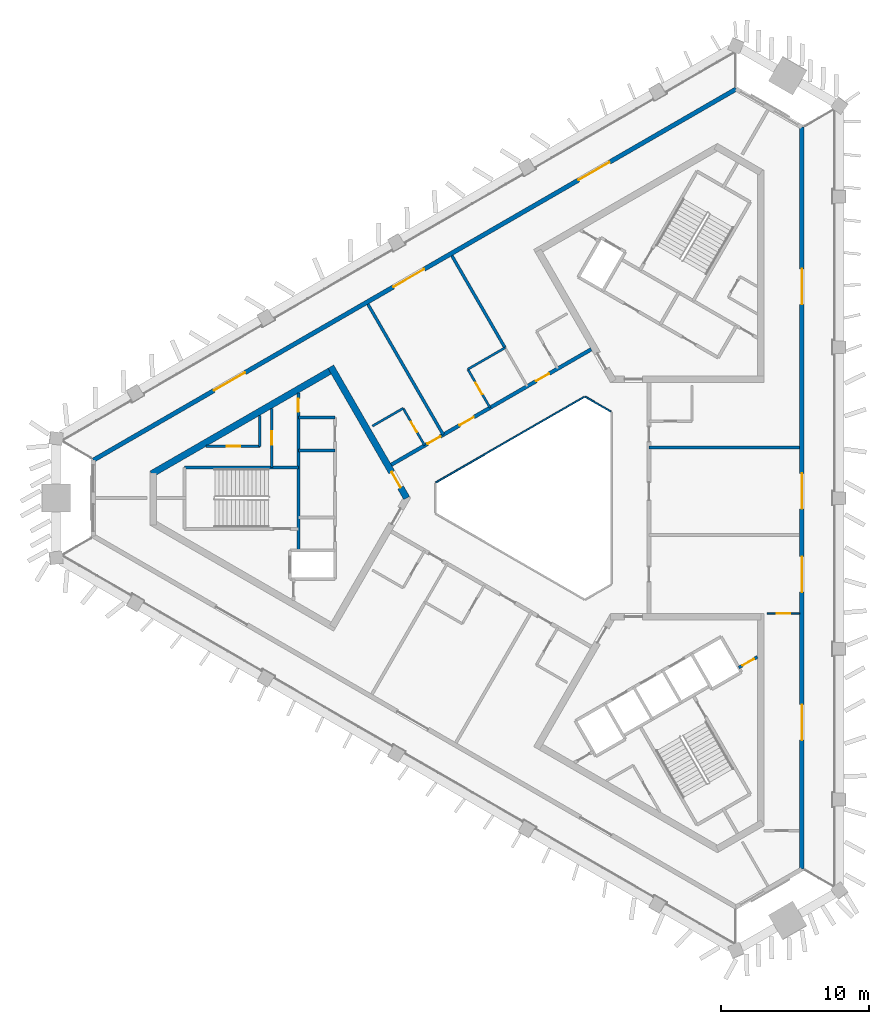
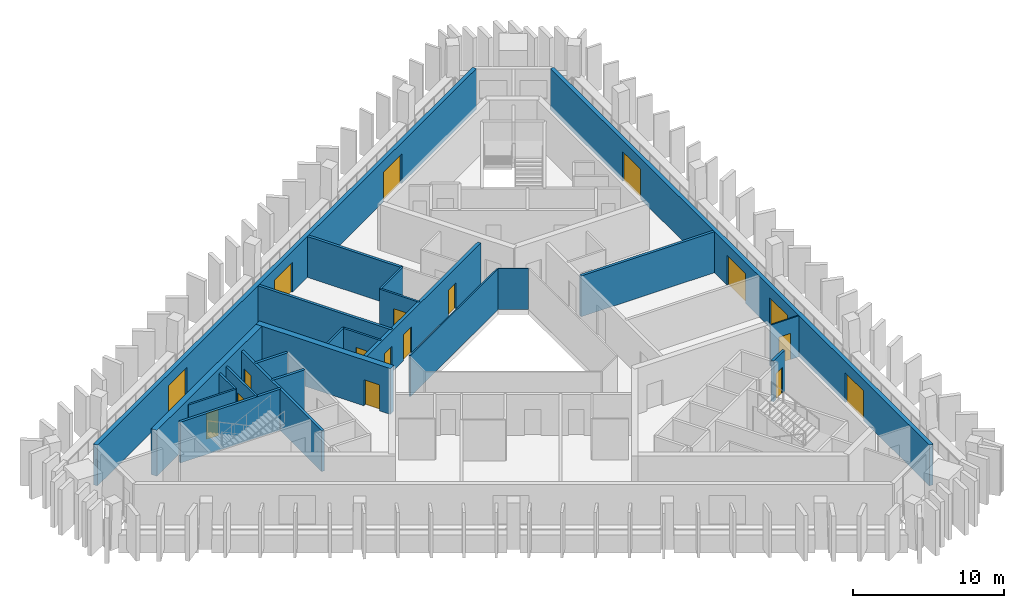
# One storey, part 4 of 9: 23 walls, 18 doors, 18 openings.
"""IFC4 building model written with IfcOpenShell, lengths in metres."""

from ifc_helpers import new_model, si_unit, direction, frame, frame_2d, origin, place, context, subcontext, project, spatial, rectangle, extrude, material, layer, layer_set, type_object, element, fill, save


model = new_model("IFC4")

# Units and contexts
model_context = context("Model", 3, precision=1e-05, world=origin(), true_north=direction((0.0, 1.0)))
body_context = subcontext(model_context, "Body", "Model", "MODEL_VIEW")
ifc_project = project(units=[si_unit("LENGTHUNIT", "METRE"), si_unit("AREAUNIT", "SQUARE_METRE"), si_unit("VOLUMEUNIT", "CUBIC_METRE"), si_unit("PLANEANGLEUNIT", "RADIAN"), si_unit("MASSUNIT", "GRAM", prefix="KILO")], contexts=[model_context])

# Site, building, storey
site_placement = place(None, origin())
site = spatial("IfcSite", under=ifc_project, at=site_placement, CompositionType="ELEMENT")
building_placement = place(site_placement, origin())
building = spatial("IfcBuilding", under=site, at=building_placement, Name="Jabali Bay Hotel Tower and Convention Centre", CompositionType="ELEMENT")
storey_placement = place(building_placement, frame((0.0, 0.0, 231.699951171875)))
storey = spatial("IfcBuildingStorey", under=building, at=storey_placement, Name="L57", CompositionType="ELEMENT", Elevation=231.699951171875)

# Walls
ifc_material_1 = material(Name="Fire-resistant glazing", Category="glass")
ifc_layer_1 = layer(ifc_material_1, 0.10009765625)
ifc_layer_set_1 = layer_set([ifc_layer_1], Name="Fire-resistant glazing")
wall_type_1 = type_object("IfcWallType", Name="Atrium glazed screen 100", PredefinedType="PARTITIONING", material=ifc_layer_set_1)
wall_1_placement = place(storey_placement, frame((79.530029296875, 85.84619140625, 0.0), z_axis=(0.0, 0.0, 1.0), x_axis=(-0.866041268327, 0.499972520799, 0.0)))
element("IfcWall", 1, at=wall_1_placement, inside=storey, type_object=wall_type_1, Name="Atrium screen 2 L57", PredefinedType="PARTITIONING", context=body_context, shape_type="SweptSolid", body=[
    extrude(rectangle(XDim=2.0, YDim=0.10009765625, at=frame_2d((1.0, 0.0))), origin(), (0.0, 0.0, 1.0), 3.300048828125),
])
wall_2_placement = place(storey_placement, frame((77.738037109375, 86.84619140625, 0.0), z_axis=(0.0, 0.0, 1.0), x_axis=(-0.866026658274, -0.499997827154, 0.0)))
element("IfcWall", 2, at=wall_2_placement, inside=storey, type_object=wall_type_1, Name="Atrium screen 3 L57", PredefinedType="PARTITIONING", context=body_context, shape_type="SweptSolid", body=[
    extrude(rectangle(XDim=11.58837890625, YDim=0.10009765625, at=frame_2d((5.794189453125, 0.0))), origin(), (0.0, 0.0, 1.0), 3.300048828125),
])

# Wall, opening, door
ifc_material_2 = material(Name="Concrete C40", Category="concrete")
ifc_layer_2 = layer(ifc_material_2, 0.199951171875)
ifc_layer_set_2 = layer_set([ifc_layer_2], Name="Concrete C40")
wall_type_2 = type_object("IfcWallType", Name="Core partition wall 200", PredefinedType="PARTITIONING", material=ifc_layer_set_2)
wall_3_placement = place(storey_placement, frame((88.164794921875, 68.548095703125, 0.0), z_axis=(0.0, 0.0, 1.0), x_axis=(0.866013036001, 0.500021421018, 0.0)))
wall_3 = element("IfcWall", 3, at=wall_3_placement, inside=storey, type_object=wall_type_2, Name="Core wall 2.12 L57", PredefinedType="PARTITIONING", context=body_context, shape_type="SweptSolid", body=[
    extrude(rectangle(XDim=1.4609375, YDim=0.199951171875, at=frame_2d((0.73046875, 0.0))), origin(), (0.0, 0.0, 1.0), 3.300048828125),
])
opening_1_placement = place(wall_3_placement, frame((0.280517578125, 0.0, 0.0)))
opening_1 = element("IfcOpeningElement", 4, at=opening_1_placement, cuts=wall_3, Name="Opening D1253", PredefinedType="OPENING", context=body_context, shape_type="SweptSolid", body=[
    extrude(rectangle(XDim=0.89990234375, YDim=2.10009765625, at=frame_2d((0.449951171875, 1.050048828125))), frame((0.0, 0.1103515625, 0.0), z_axis=(0.0, -1.0, 0.0), x_axis=(1.0, 0.0, 0.0)), (0.0, 0.0, 1.0), 0.220947265625),
])
ifc_material_3 = material(Name="Fire-rated steel door", Category="steel")
door_type_1 = type_object("IfcDoorType", Name="Vestibule fire door 900 x 2100", OperationType="NOTDEFINED", PredefinedType="NOTDEFINED", material=ifc_material_3)
door_1_placement = place(opening_1_placement, origin())
door_1 = element("IfcDoor", 5, at=door_1_placement, inside=storey, type_object=door_type_1, Name="Vestibule fire door D1253", OperationType="SINGLE_SWING_LEFT", OverallHeight=2.10009765625, OverallWidth=0.89990234375, PredefinedType="NOTDEFINED", context=body_context, shape_type="SweptSolid", body=[
    extrude(rectangle(XDim=0.89990234375, YDim=2.10009765625, at=frame_2d((0.449951171875, 1.050048828125))), frame((0.0, 0.02490234375, 0.0), z_axis=(0.0, -1.0, 0.0), x_axis=(1.0, 0.0, 0.0)), (0.0, 0.0, 1.0), 0.050048828125),
])
fill(opening_1, door_1)

ifc_material_4 = material(Name="Fire-rated board partition")
ifc_layer_3 = layer(ifc_material_4, 0.14990234375)
ifc_layer_set_3 = layer_set([ifc_layer_3], Name="Fire-rated board partition")
wall_type_3 = type_object("IfcWallType", Name="Core room partition 150", PredefinedType="PARTITIONING", material=ifc_layer_set_3)
wall_4_placement = place(storey_placement, frame((55.820068359375, 83.5, 0.0), z_axis=(0.0, 0.0, 1.0), x_axis=(-1.0, 0.0, 0.0)))
wall_4 = element("IfcWall", 6, at=wall_4_placement, inside=storey, type_object=wall_type_3, Name="Core wall 0.1 L57", PredefinedType="PARTITIONING", context=body_context, shape_type="SweptSolid", body=[
    extrude(rectangle(XDim=3.617919921875, YDim=0.14990234375, at=frame_2d((1.80908203125, 0.0))), origin(), (0.0, 0.0, 1.0), 3.300048828125),
])
opening_2_placement = place(wall_4_placement, frame((1.33154296875, 0.0, 0.0)))
opening_2 = element("IfcOpeningElement", 7, at=opening_2_placement, cuts=wall_4, Name="Opening D1242", PredefinedType="OPENING", context=body_context, shape_type="SweptSolid", body=[
    extrude(rectangle(XDim=0.89990234375, YDim=2.10009765625, at=frame_2d((0.449951171875, 1.050048828125))), frame((0.0, 0.08544921875, 0.0), z_axis=(0.0, -1.0, 0.0), x_axis=(1.0, 0.0, 0.0)), (0.0, 0.0, 1.0), 0.1708984375),
])
door_type_2 = type_object("IfcDoorType", Name="Core room door 900 x 2100", OperationType="NOTDEFINED", PredefinedType="NOTDEFINED", material=ifc_material_3)
door_2_placement = place(opening_2_placement, origin())
door_2 = element("IfcDoor", 8, at=door_2_placement, inside=storey, type_object=door_type_2, Name="Core room door D1242", OperationType="SINGLE_SWING_LEFT", OverallHeight=2.10009765625, OverallWidth=0.89990234375, PredefinedType="NOTDEFINED", context=body_context, shape_type="SweptSolid", body=[
    extrude(rectangle(XDim=0.89990234375, YDim=2.10009765625, at=frame_2d((0.449951171875, 1.050048828125))), frame((0.0, 0.02490234375, 0.0), z_axis=(0.0, -1.0, 0.0), x_axis=(1.0, 0.0, 0.0)), (0.0, 0.0, 1.0), 0.050048828125),
])
fill(opening_2, door_2)

wall_5_placement = place(storey_placement, frame((56.6201171875, 86.050537109375, 0.0), z_axis=(0.0, 0.0, 1.0), x_axis=(0.0, -1.0, 0.0)))
wall_5 = element("IfcWall", 9, at=wall_5_placement, inside=storey, type_object=wall_type_3, Name="Core wall 0.13 L57", PredefinedType="PARTITIONING", context=body_context, shape_type="SweptSolid", body=[
    extrude(rectangle(XDim=3.9755859375, YDim=0.14990234375, at=frame_2d((1.98779296875, 0.0))), origin(), (0.0, 0.0, 1.0), 3.300048828125),
])
opening_3_placement = place(wall_5_placement, frame((1.537841796875, 0.0, 0.0)))
opening_3 = element("IfcOpeningElement", 10, at=opening_3_placement, cuts=wall_5, Name="Opening D1238", PredefinedType="OPENING", context=body_context, shape_type="SweptSolid", body=[
    extrude(rectangle(XDim=0.89990234375, YDim=2.10009765625, at=frame_2d((0.449951171875, 1.050048828125))), frame((0.0, 0.08544921875, 0.0), z_axis=(0.0, -1.0, 0.0), x_axis=(1.0, 0.0, 0.0)), (0.0, 0.0, 1.0), 0.1708984375),
])
door_3_placement = place(opening_3_placement, origin())
door_3 = element("IfcDoor", 11, at=door_3_placement, inside=storey, type_object=door_type_2, Name="Core room door D1238", OperationType="SINGLE_SWING_RIGHT", OverallHeight=2.10009765625, OverallWidth=0.89990234375, PredefinedType="NOTDEFINED", context=body_context, shape_type="SweptSolid", body=[
    extrude(rectangle(XDim=0.89990234375, YDim=2.10009765625, at=frame_2d((0.449951171875, 1.050048828125))), frame((0.0, 0.02490234375, 0.0), z_axis=(0.0, -1.0, 0.0), x_axis=(1.0, 0.0, 0.0)), (0.0, 0.0, 1.0), 0.050048828125),
])
fill(opening_3, door_3)

# Walls
wall_6_placement = place(storey_placement, frame((55.820068359375, 85.5888671875, 0.0), z_axis=(0.0, 0.0, 1.0), x_axis=(0.0, -1.0, 0.0)))
element("IfcWall", 12, at=wall_6_placement, inside=storey, type_object=wall_type_3, Name="Core wall 0.14 L57", PredefinedType="PARTITIONING", context=body_context, shape_type="SweptSolid", body=[
    extrude(rectangle(XDim=2.0888671875, YDim=0.14990234375, at=frame_2d((1.04443359375, 0.0))), origin(), (0.0, 0.0, 1.0), 3.300048828125),
])
ifc_layer_4 = layer(ifc_material_2, 0.199951171875)
ifc_layer_set_4 = layer_set([ifc_layer_4], Name="Concrete C40")
wall_type_4 = type_object("IfcWallType", Name="Core stair wall 200", PredefinedType="SOLIDWALL", material=ifc_layer_set_4)
for number, where, z_axis, x_axis, name in (
    (13, (60.89990234375, 85.449951171875, 0.0), (0.0, 0.0, 1.0), (-1.0, 0.0, 0.0), "Core wall 0.0 L57"),
    (14, (60.89990234375, 83.199951171875, 0.0), (0.0, 0.0, 1.0), (-1.0, 0.0, 0.0), "Core wall 0.2 L57"),
):
    element("IfcWall", number, at=place(storey_placement, frame(where, z_axis=z_axis, x_axis=x_axis)), inside=storey, type_object=wall_type_4, Name=name, PredefinedType="SOLIDWALL", context=body_context, shape_type="SweptSolid", body=[
        extrude(rectangle(XDim=2.47998046875, YDim=0.199951171875, at=frame_2d((1.239990234375, 0.0))), origin(), (0.0, 0.0, 1.0), 3.300048828125),
    ])
wall_7_placement = place(storey_placement, frame((58.419921875, 82.074951171875, 0.0), z_axis=(0.0, 0.0, 1.0), x_axis=(-1.0, 0.0, 0.0)))
element("IfcWall", 15, at=wall_7_placement, inside=storey, type_object=wall_type_4, Name="Core wall 0.3 L57", PredefinedType="SOLIDWALL", context=body_context, shape_type="SweptSolid", body=[
    extrude(rectangle(XDim=7.699951171875, YDim=0.199951171875, at=frame_2d((3.85009765625, 0.0))), origin(), (0.0, 0.0, 1.0), 3.300048828125),
])

# Wall, opening, door
wall_8_placement = place(storey_placement, frame((58.419921875, 87.08984375, 0.0), z_axis=(0.0, 0.0, 1.0), x_axis=(0.0, -1.0, 0.0)))
wall_8 = element("IfcWall", 16, at=wall_8_placement, inside=storey, type_object=wall_type_4, Name="Core wall 0.10 L57", PredefinedType="SOLIDWALL", context=body_context, shape_type="SweptSolid", body=[
    extrude(rectangle(XDim=10.639892578125, YDim=0.199951171875, at=frame_2d((5.31982421875, 0.0))), origin(), (0.0, 0.0, 1.0), 3.300048828125),
])
opening_4_placement = place(wall_8_placement, frame((0.369873046875, 0.0, 0.0)))
opening_4 = element("IfcOpeningElement", 17, at=opening_4_placement, cuts=wall_8, Name="Opening D1240", PredefinedType="OPENING", context=body_context, shape_type="SweptSolid", body=[
    extrude(rectangle(XDim=0.89990234375, YDim=2.10009765625, at=frame_2d((0.449951171875, 1.050048828125))), frame((0.0, 0.1103515625, 0.0), z_axis=(0.0, -1.0, 0.0), x_axis=(1.0, 0.0, 0.0)), (0.0, 0.0, 1.0), 0.220947265625),
])
door_4_placement = place(opening_4_placement, origin())
door_4 = element("IfcDoor", 18, at=door_4_placement, inside=storey, type_object=door_type_1, Name="Vestibule fire door D1240", OperationType="SINGLE_SWING_LEFT", OverallHeight=2.10009765625, OverallWidth=0.89990234375, PredefinedType="NOTDEFINED", context=body_context, shape_type="SweptSolid", body=[
    extrude(rectangle(XDim=0.89990234375, YDim=2.10009765625, at=frame_2d((0.449951171875, 1.050048828125))), frame((0.0, 0.02490234375, 0.0), z_axis=(0.0, -1.0, 0.0), x_axis=(1.0, 0.0, 0.0)), (0.0, 0.0, 1.0), 0.050048828125),
])
fill(opening_4, door_4)

ifc_material_5 = material(Name="Concrete C60", Category="concrete")
ifc_layer_5 = layer(ifc_material_5, 0.449951171875)
ifc_layer_set_5 = layer_set([ifc_layer_5], Name="Concrete C60")
wall_type_5 = type_object("IfcWallType", Name="Core wall 450", PredefinedType="SHEAR", material=ifc_layer_set_5)
wall_9_placement = place(storey_placement, frame((65.740234375, 80.0, 0.0), z_axis=(0.0, 0.0, 1.0), x_axis=(-0.499991857942, 0.866030104553, 0.0)))
wall_9 = element("IfcWall", 19, at=wall_9_placement, inside=storey, type_object=wall_type_5, Name="Core wall 1.1 L57", PredefinedType="SHEAR", context=body_context, shape_type="SweptSolid", body=[
    extrude(rectangle(XDim=10.250244140625, YDim=0.449951171875, at=frame_2d((5.125, 0.0))), origin(), (0.0, 0.0, 1.0), 3.699951171875),
])
opening_5_placement = place(wall_9_placement, frame((0.820068359375, 0.0, 0.0)))
opening_5 = element("IfcOpeningElement", 20, at=opening_5_placement, cuts=wall_9, Name="Opening D1233", PredefinedType="OPENING", context=body_context, shape_type="SweptSolid", body=[
    extrude(rectangle(XDim=1.199951171875, YDim=2.10009765625, at=frame_2d((0.60009765625, 1.050048828125))), frame((0.0, 0.2353515625, 0.0), z_axis=(0.0, -1.0, 0.0), x_axis=(1.0, 0.0, 0.0)), (0.0, 0.0, 1.0), 0.470947265625),
])
door_type_3 = type_object("IfcDoorType", Name="Corridor end fire door 1200 x 2100", OperationType="NOTDEFINED", PredefinedType="NOTDEFINED", material=ifc_material_3)
door_5_placement = place(opening_5_placement, origin())
door_5 = element("IfcDoor", 21, at=door_5_placement, inside=storey, type_object=door_type_3, Name="Corridor end fire door D1233", OperationType="SINGLE_SWING_RIGHT", OverallHeight=2.10009765625, OverallWidth=1.199951171875, PredefinedType="NOTDEFINED", context=body_context, shape_type="SweptSolid", body=[
    extrude(rectangle(XDim=1.199951171875, YDim=2.10009765625, at=frame_2d((0.60009765625, 1.050048828125))), frame((0.0, 0.02490234375, 0.0), z_axis=(0.0, -1.0, 0.0), x_axis=(1.0, 0.0, 0.0)), (0.0, 0.0, 1.0), 0.050048828125),
])
fill(opening_5, door_5)

# Wall
wall_10_placement = place(storey_placement, frame((60.7275390625, 88.681884765625, 0.0), z_axis=(0.0, 0.0, 1.0), x_axis=(-0.866021613849, -0.500006564303, 0.0)))
element("IfcWall", 22, at=wall_10_placement, inside=storey, type_object=wall_type_5, Name="Core wall 1.2 L57", PredefinedType="SHEAR", context=body_context, shape_type="SweptSolid", body=[
    extrude(rectangle(XDim=14.108154296875, YDim=0.449951171875, at=frame_2d((7.05419921875, 0.0))), origin(), (0.0, 0.0, 1.0), 3.699951171875),
])

# Wall, openings, doors
ifc_layer_6 = layer(ifc_material_5, 0.25)
ifc_layer_set_6 = layer_set([ifc_layer_6], Name="Concrete C60")
wall_type_6 = type_object("IfcWallType", Name="Corridor wall 250", PredefinedType="SHEAR", material=ifc_layer_set_6)
wall_11_placement = place(storey_placement, frame((78.199951171875, 90.0458984375, 0.0), z_axis=(0.0, 0.0, 1.0), x_axis=(-0.866026492143, -0.499998114903, 0.0)))
wall_11 = element("IfcWall", 23, at=wall_11_placement, inside=storey, type_object=wall_type_6, Name="Corridor wall 2 L57", PredefinedType="SHEAR", context=body_context, shape_type="SweptSolid", body=[
    extrude(rectangle(XDim=15.58837890625, YDim=0.25, at=frame_2d((7.794189453125, 0.0))), origin(), (0.0, 0.0, 1.0), 3.300048828125),
])
opening_6_placement = place(wall_11_placement, frame((3.294189453125, 0.0, 0.0)))
opening_6 = element("IfcOpeningElement", 24, at=opening_6_placement, cuts=wall_11, Name="Opening 5708", PredefinedType="OPENING", context=body_context, shape_type="SweptSolid", body=[
    extrude(rectangle(XDim=1.0, YDim=2.10009765625, at=frame_2d((0.5, 1.050048828125))), frame((0.0, 0.135498046875, 0.0), z_axis=(0.0, -1.0, 0.0), x_axis=(1.0, 0.0, 0.0)), (0.0, 0.0, 1.0), 0.27099609375),
])
opening_7_placement = place(wall_11_placement, frame((9.161865234375, 0.0, 0.0)))
opening_7 = element("IfcOpeningElement", 25, at=opening_7_placement, cuts=wall_11, Name="Opening 5710", PredefinedType="OPENING", context=body_context, shape_type="SweptSolid", body=[
    extrude(rectangle(XDim=1.10009765625, YDim=2.10009765625, at=frame_2d((0.550048828125, 1.050048828125))), frame((0.0, 0.135498046875, 0.0), z_axis=(0.0, -1.0, 0.0), x_axis=(1.0, 0.0, 0.0)), (0.0, 0.0, 1.0), 0.27099609375),
])
opening_8_placement = place(wall_11_placement, frame((11.761962890625, 0.0, 0.0)))
opening_8 = element("IfcOpeningElement", 26, at=opening_8_placement, cuts=wall_11, Name="Opening 5712", PredefinedType="OPENING", context=body_context, shape_type="SweptSolid", body=[
    extrude(rectangle(XDim=1.0, YDim=2.10009765625, at=frame_2d((0.5, 1.050048828125))), frame((0.0, 0.135498046875, 0.0), z_axis=(0.0, -1.0, 0.0), x_axis=(1.0, 0.0, 0.0)), (0.0, 0.0, 1.0), 0.27099609375),
])
ifc_material_6 = material(Name="Timber", Category="wood")
door_type_4 = type_object("IfcDoorType", Name="Accessible guest room door 1100 x 2100", OperationType="NOTDEFINED", PredefinedType="NOTDEFINED", material=ifc_material_6)
door_6_placement = place(opening_7_placement, origin())
door_6 = element("IfcDoor", 27, at=door_6_placement, inside=storey, type_object=door_type_4, Name="Door 5710", OperationType="SINGLE_SWING_RIGHT", OverallHeight=2.10009765625, OverallWidth=1.10009765625, PredefinedType="NOTDEFINED", context=body_context, shape_type="SweptSolid", body=[
    extrude(rectangle(XDim=1.10009765625, YDim=2.10009765625, at=frame_2d((0.550048828125, 1.050048828125))), frame((0.0, 0.02490234375, 0.0), z_axis=(0.0, -1.0, 0.0), x_axis=(1.0, 0.0, 0.0)), (0.0, 0.0, 1.0), 0.050048828125),
])
fill(opening_7, door_6)
door_type_5 = type_object("IfcDoorType", Name="Guest room door 1000 x 2100", OperationType="NOTDEFINED", PredefinedType="NOTDEFINED", material=ifc_material_6)
door_7_placement = place(opening_6_placement, origin())
door_7 = element("IfcDoor", 28, at=door_7_placement, inside=storey, type_object=door_type_5, Name="Door 5708", OperationType="SINGLE_SWING_LEFT", OverallHeight=2.10009765625, OverallWidth=1.0, PredefinedType="NOTDEFINED", context=body_context, shape_type="SweptSolid", body=[
    extrude(rectangle(XDim=1.0, YDim=2.10009765625, at=frame_2d((0.5, 1.050048828125))), frame((0.0, 0.02490234375, 0.0), z_axis=(0.0, -1.0, 0.0), x_axis=(1.0, 0.0, 0.0)), (0.0, 0.0, 1.0), 0.050048828125),
])
fill(opening_6, door_7)
door_8_placement = place(opening_8_placement, origin())
door_8 = element("IfcDoor", 29, at=door_8_placement, inside=storey, type_object=door_type_5, Name="Door 5712", OperationType="SINGLE_SWING_RIGHT", OverallHeight=2.10009765625, OverallWidth=1.0, PredefinedType="NOTDEFINED", context=body_context, shape_type="SweptSolid", body=[
    extrude(rectangle(XDim=1.0, YDim=2.10009765625, at=frame_2d((0.5, 1.050048828125))), frame((0.0, 0.02490234375, 0.0), z_axis=(0.0, -1.0, 0.0), x_axis=(1.0, 0.0, 0.0)), (0.0, 0.0, 1.0), 0.050048828125),
])
fill(opening_8, door_8)

ifc_layer_7 = layer(ifc_material_2, 0.300048828125)
ifc_layer_set_7 = layer_set([ifc_layer_7], Name="Concrete C40")
wall_type_7 = type_object("IfcWallType", Name="External wall 300", PredefinedType="SOLIDWALL", material=ifc_layer_set_7)
wall_12_placement = place(storey_placement, frame((92.427978515625, 105.058837890625, 0.0), z_axis=(0.0, 0.0, 1.0), x_axis=(0.0, -1.0, 0.0)))
wall_12 = element("IfcWall", 30, at=wall_12_placement, inside=storey, type_object=wall_type_7, Name="External wall east face L57", PredefinedType="SOLIDWALL", context=body_context, shape_type="SweptSolid", body=[
    extrude(rectangle(XDim=50.11767578125, YDim=0.300048828125, at=frame_2d((25.058837890625, 0.0))), origin(), (0.0, 0.0, 1.0), 3.300048828125),
])
opening_9_placement = place(wall_12_placement, frame((29.003173828125, 0.0, 0.0)))
opening_9 = element("IfcOpeningElement", 31, at=opening_9_placement, cuts=wall_12, Name="Opening SD1", PredefinedType="OPENING", context=body_context, shape_type="SweptSolid", body=[
    extrude(rectangle(XDim=2.39990234375, YDim=2.39990234375, at=frame_2d((1.199951171875, 1.199951171875))), frame((0.0, 0.16064453125, 0.0), z_axis=(0.0, -1.0, 0.0), x_axis=(1.0, 0.0, 0.0)), (0.0, 0.0, 1.0), 0.321044921875),
])
opening_10_placement = place(wall_12_placement, frame((39.000244140625, 0.0, 0.0)))
opening_10 = element("IfcOpeningElement", 32, at=opening_10_placement, cuts=wall_12, Name="Opening SD1", PredefinedType="OPENING", context=body_context, shape_type="SweptSolid", body=[
    extrude(rectangle(XDim=2.39990234375, YDim=2.39990234375, at=frame_2d((1.199951171875, 1.199951171875))), frame((0.0, 0.16064453125, 0.0), z_axis=(0.0, -1.0, 0.0), x_axis=(1.0, 0.0, 0.0)), (0.0, 0.0, 1.0), 0.321044921875),
])
opening_11_placement = place(wall_12_placement, frame((9.571533203125, 0.0, 0.0)))
opening_11 = element("IfcOpeningElement", 33, at=opening_11_placement, cuts=wall_12, Name="Opening SD1", PredefinedType="OPENING", context=body_context, shape_type="SweptSolid", body=[
    extrude(rectangle(XDim=2.39990234375, YDim=2.39990234375, at=frame_2d((1.199951171875, 1.199951171875))), frame((0.0, 0.16064453125, 0.0), z_axis=(0.0, -1.0, 0.0), x_axis=(1.0, 0.0, 0.0)), (0.0, 0.0, 1.0), 0.321044921875),
])
opening_12_placement = place(wall_12_placement, frame((23.391357421875, 0.0, 0.0)))
opening_12 = element("IfcOpeningElement", 34, at=opening_12_placement, cuts=wall_12, Name="Opening SD1", PredefinedType="OPENING", context=body_context, shape_type="SweptSolid", body=[
    extrude(rectangle(XDim=2.39990234375, YDim=2.39990234375, at=frame_2d((1.199951171875, 1.199951171875))), frame((0.0, 0.16064453125, 0.0), z_axis=(0.0, -1.0, 0.0), x_axis=(1.0, 0.0, 0.0)), (0.0, 0.0, 1.0), 0.321044921875),
])
ifc_material_7 = material(Name="Glass", Category="glass")
door_type_6 = type_object("IfcDoorType", Name="Loggia sliding door 2400 x 2400", OperationType="NOTDEFINED", PredefinedType="NOTDEFINED", material=ifc_material_7)
door_9_placement = place(opening_9_placement, origin())
door_9 = element("IfcDoor", 35, at=door_9_placement, inside=storey, type_object=door_type_6, Name="Loggia sliding door 5701", OperationType="SLIDING_TO_LEFT", OverallHeight=2.39990234375, OverallWidth=2.39990234375, PredefinedType="NOTDEFINED", context=body_context, shape_type="SweptSolid", body=[
    extrude(rectangle(XDim=2.39990234375, YDim=2.39990234375, at=frame_2d((1.199951171875, 1.199951171875))), frame((0.0, 0.02490234375, 0.0), z_axis=(0.0, -1.0, 0.0), x_axis=(1.0, 0.0, 0.0)), (0.0, 0.0, 1.0), 0.050048828125),
])
fill(opening_9, door_9)
door_10_placement = place(opening_10_placement, origin())
door_10 = element("IfcDoor", 36, at=door_10_placement, inside=storey, type_object=door_type_6, Name="Loggia sliding door 5701", OperationType="SLIDING_TO_RIGHT", OverallHeight=2.39990234375, OverallWidth=2.39990234375, PredefinedType="NOTDEFINED", context=body_context, shape_type="SweptSolid", body=[
    extrude(rectangle(XDim=2.39990234375, YDim=2.39990234375, at=frame_2d((1.199951171875, 1.199951171875))), frame((0.0, 0.02490234375, 0.0), z_axis=(0.0, -1.0, 0.0), x_axis=(1.0, 0.0, 0.0)), (0.0, 0.0, 1.0), 0.050048828125),
])
fill(opening_10, door_10)
door_11_placement = place(opening_11_placement, origin())
door_11 = element("IfcDoor", 37, at=door_11_placement, inside=storey, type_object=door_type_6, Name="Loggia sliding door 5702", OperationType="SLIDING_TO_LEFT", OverallHeight=2.39990234375, OverallWidth=2.39990234375, PredefinedType="NOTDEFINED", context=body_context, shape_type="SweptSolid", body=[
    extrude(rectangle(XDim=2.39990234375, YDim=2.39990234375, at=frame_2d((1.199951171875, 1.199951171875))), frame((0.0, 0.02490234375, 0.0), z_axis=(0.0, -1.0, 0.0), x_axis=(1.0, 0.0, 0.0)), (0.0, 0.0, 1.0), 0.050048828125),
])
fill(opening_11, door_11)
door_12_placement = place(opening_12_placement, origin())
door_12 = element("IfcDoor", 38, at=door_12_placement, inside=storey, type_object=door_type_6, Name="Loggia sliding door", OperationType="SLIDING_TO_RIGHT", OverallHeight=2.39990234375, OverallWidth=2.39990234375, PredefinedType="NOTDEFINED", context=body_context, shape_type="SweptSolid", body=[
    extrude(rectangle(XDim=2.39990234375, YDim=2.39990234375, at=frame_2d((1.199951171875, 1.199951171875))), frame((0.0, 0.02490234375, 0.0), z_axis=(0.0, -1.0, 0.0), x_axis=(1.0, 0.0, 0.0)), (0.0, 0.0, 1.0), 0.050048828125),
])
fill(opening_12, door_12)

wall_13_placement = place(storey_placement, frame((44.58447265625, 82.5634765625, 0.0), z_axis=(0.0, 0.0, 1.0), x_axis=(0.866023992326, 0.500002444709, 0.0)))
wall_13 = element("IfcWall", 39, at=wall_13_placement, inside=storey, type_object=wall_type_7, Name="External wall north-west face L57", PredefinedType="SOLIDWALL", context=body_context, shape_type="SweptSolid", body=[
    extrude(rectangle(XDim=50.117919921875, YDim=0.300048828125, at=frame_2d((25.05908203125, 0.0))), origin(), (0.0, 0.0, 1.0), 3.300048828125),
])
opening_13_placement = place(wall_13_placement, frame((23.391357421875, 0.0, 0.0)))
opening_13 = element("IfcOpeningElement", 40, at=opening_13_placement, cuts=wall_13, Name="Opening SD1", PredefinedType="OPENING", context=body_context, shape_type="SweptSolid", body=[
    extrude(rectangle(XDim=2.39990234375, YDim=2.39990234375, at=frame_2d((1.199951171875, 1.199951171875))), frame((0.0, 0.16064453125, 0.0), z_axis=(0.0, -1.0, 0.0), x_axis=(1.0, 0.0, 0.0)), (0.0, 0.0, 1.0), 0.321044921875),
])
opening_14_placement = place(wall_13_placement, frame((37.834716796875, 0.0, 0.0)))
opening_14 = element("IfcOpeningElement", 41, at=opening_14_placement, cuts=wall_13, Name="Opening SD1", PredefinedType="OPENING", context=body_context, shape_type="SweptSolid", body=[
    extrude(rectangle(XDim=2.39990234375, YDim=2.39990234375, at=frame_2d((1.199951171875, 1.199951171875))), frame((0.0, 0.16064453125, 0.0), z_axis=(0.0, -1.0, 0.0), x_axis=(1.0, 0.0, 0.0)), (0.0, 0.0, 1.0), 0.321044921875),
])
opening_15_placement = place(wall_13_placement, frame((9.41552734375, 0.0, 0.0)))
opening_15 = element("IfcOpeningElement", 42, at=opening_15_placement, cuts=wall_13, Name="Opening SD1", PredefinedType="OPENING", context=body_context, shape_type="SweptSolid", body=[
    extrude(rectangle(XDim=2.39990234375, YDim=2.39990234375, at=frame_2d((1.199951171875, 1.199951171875))), frame((0.0, 0.16064453125, 0.0), z_axis=(0.0, -1.0, 0.0), x_axis=(1.0, 0.0, 0.0)), (0.0, 0.0, 1.0), 0.321044921875),
])
door_13_placement = place(opening_13_placement, origin())
door_13 = element("IfcDoor", 43, at=door_13_placement, inside=storey, type_object=door_type_6, Name="Loggia sliding door 5704", OperationType="SLIDING_TO_LEFT", OverallHeight=2.39990234375, OverallWidth=2.39990234375, PredefinedType="NOTDEFINED", context=body_context, shape_type="SweptSolid", body=[
    extrude(rectangle(XDim=2.39990234375, YDim=2.39990234375, at=frame_2d((1.199951171875, 1.199951171875))), frame((0.0, 0.02490234375, 0.0), z_axis=(0.0, -1.0, 0.0), x_axis=(1.0, 0.0, 0.0)), (0.0, 0.0, 1.0), 0.050048828125),
])
fill(opening_13, door_13)
door_14_placement = place(opening_14_placement, origin())
door_14 = element("IfcDoor", 44, at=door_14_placement, inside=storey, type_object=door_type_6, Name="Loggia sliding door 5703", OperationType="SLIDING_TO_RIGHT", OverallHeight=2.39990234375, OverallWidth=2.39990234375, PredefinedType="NOTDEFINED", context=body_context, shape_type="SweptSolid", body=[
    extrude(rectangle(XDim=2.39990234375, YDim=2.39990234375, at=frame_2d((1.199951171875, 1.199951171875))), frame((0.0, 0.02490234375, 0.0), z_axis=(0.0, -1.0, 0.0), x_axis=(1.0, 0.0, 0.0)), (0.0, 0.0, 1.0), 0.050048828125),
])
fill(opening_14, door_14)
door_15_placement = place(opening_15_placement, origin())
door_15 = element("IfcDoor", 45, at=door_15_placement, inside=storey, type_object=door_type_6, Name="Loggia sliding door 5705", OperationType="SLIDING_TO_LEFT", OverallHeight=2.39990234375, OverallWidth=2.39990234375, PredefinedType="NOTDEFINED", context=body_context, shape_type="SweptSolid", body=[
    extrude(rectangle(XDim=2.39990234375, YDim=2.39990234375, at=frame_2d((1.199951171875, 1.199951171875))), frame((0.0, 0.02490234375, 0.0), z_axis=(0.0, -1.0, 0.0), x_axis=(1.0, 0.0, 0.0)), (0.0, 0.0, 1.0), 0.050048828125),
])
fill(opening_15, door_15)

# Wall, opening, door
ifc_material_8 = material(Name="Plasterboard on steel stud", Category="steel")
ifc_layer_8 = layer(ifc_material_8, 0.10009765625)
ifc_layer_set_8 = layer_set([ifc_layer_8], Name="Plasterboard on steel stud")
wall_type_8 = type_object("IfcWallType", Name="Partition 100 unit", PredefinedType="PARTITIONING", material=ifc_layer_set_8)
wall_14_placement = place(storey_placement, frame((90.0791015625, 72.205810546875, 0.0), z_axis=(0.0, 0.0, 1.0), x_axis=(1.0, 0.0, 0.0)))
wall_14 = element("IfcWall", 46, at=wall_14_placement, inside=storey, type_object=wall_type_8, Name="Partition P02 L57 001", PredefinedType="PARTITIONING", context=body_context, shape_type="SweptSolid", body=[
    extrude(rectangle(XDim=2.19970703125, YDim=0.10009765625, at=frame_2d((1.099853515625, 0.0))), origin(), (0.0, 0.0, 1.0), 3.300048828125),
])
opening_16_placement = place(wall_14_placement, frame((0.64990234375, 0.0, 0.0)))
opening_16 = element("IfcOpeningElement", 47, at=opening_16_placement, cuts=wall_14, Name="Opening 5702", PredefinedType="OPENING", context=body_context, shape_type="SweptSolid", body=[
    extrude(rectangle(XDim=0.89990234375, YDim=2.10009765625, at=frame_2d((0.449951171875, 1.050048828125))), frame((0.0, 0.060546875, 0.0), z_axis=(0.0, -1.0, 0.0), x_axis=(1.0, 0.0, 0.0)), (0.0, 0.0, 1.0), 0.12109375),
])
door_type_7 = type_object("IfcDoorType", Name="Internal door 900 x 2100", OperationType="NOTDEFINED", PredefinedType="NOTDEFINED", material=ifc_material_6)
door_16_placement = place(opening_16_placement, origin())
door_16 = element("IfcDoor", 48, at=door_16_placement, inside=storey, type_object=door_type_7, Name="Door 5702", OperationType="SINGLE_SWING_RIGHT", OverallHeight=2.10009765625, OverallWidth=0.89990234375, PredefinedType="NOTDEFINED", context=body_context, shape_type="SweptSolid", body=[
    extrude(rectangle(XDim=0.89990234375, YDim=2.10009765625, at=frame_2d((0.449951171875, 1.050048828125))), frame((0.0, 0.02490234375, 0.0), z_axis=(0.0, -1.0, 0.0), x_axis=(1.0, 0.0, 0.0)), (0.0, 0.0, 1.0), 0.050048828125),
])
fill(opening_16, door_16)

ifc_layer_9 = layer(ifc_material_8, 0.14990234375)
ifc_layer_set_9 = layer_set([ifc_layer_9], Name="Plasterboard on steel stud")
wall_type_9 = type_object("IfcWallType", Name="Partition 150 wet", PredefinedType="PARTITIONING", material=ifc_layer_set_9)
wall_15_placement = place(storey_placement, frame((71.368408203125, 86.101806640625, 0.0), z_axis=(0.0, 0.0, 1.0), x_axis=(-0.50002537861, 0.866010750942, 0.0)))
wall_15 = element("IfcWall", 49, at=wall_15_placement, inside=storey, type_object=wall_type_9, Name="Partition P03 L57 013", PredefinedType="PARTITIONING", context=body_context, shape_type="SweptSolid", body=[
    extrude(rectangle(XDim=2.999755859375, YDim=0.14990234375, at=frame_2d((1.5, 0.0))), origin(), (0.0, 0.0, 1.0), 3.300048828125),
])
opening_17_placement = place(wall_15_placement, frame((1.050048828125, 0.0, 0.0)))
opening_17 = element("IfcOpeningElement", 50, at=opening_17_placement, cuts=wall_15, Name="Opening 5709", PredefinedType="OPENING", context=body_context, shape_type="SweptSolid", body=[
    extrude(rectangle(XDim=0.89990234375, YDim=2.10009765625, at=frame_2d((0.449951171875, 1.050048828125))), frame((0.0, 0.08544921875, 0.0), z_axis=(0.0, -1.0, 0.0), x_axis=(1.0, 0.0, 0.0)), (0.0, 0.0, 1.0), 0.1708984375),
])
door_type_8 = type_object("IfcDoorType", Name="Accessible en-suite door 900 x 2100", OperationType="NOTDEFINED", PredefinedType="NOTDEFINED", material=ifc_material_6)
door_17_placement = place(opening_17_placement, origin())
door_17 = element("IfcDoor", 51, at=door_17_placement, inside=storey, type_object=door_type_8, Name="Door 5709", OperationType="SINGLE_SWING_LEFT", OverallHeight=2.10009765625, OverallWidth=0.89990234375, PredefinedType="NOTDEFINED", context=body_context, shape_type="SweptSolid", body=[
    extrude(rectangle(XDim=0.89990234375, YDim=2.10009765625, at=frame_2d((0.449951171875, 1.050048828125))), frame((0.0, 0.02490234375, 0.0), z_axis=(0.0, -1.0, 0.0), x_axis=(1.0, 0.0, 0.0)), (0.0, 0.0, 1.0), 0.050048828125),
])
fill(opening_17, door_17)

# Walls
wall_16_placement = place(storey_placement, frame((69.868408203125, 88.69970703125, 0.0), z_axis=(0.0, 0.0, 1.0), x_axis=(0.865996321171, 0.50005036918, 0.0)))
element("IfcWall", 52, at=wall_16_placement, inside=storey, type_object=wall_type_9, Name="Partition P03 L57 014", PredefinedType="PARTITIONING", context=body_context, shape_type="SweptSolid", body=[
    extrude(rectangle(XDim=2.900146484375, YDim=0.14990234375, at=frame_2d((1.4501953125, 0.0))), origin(), (0.0, 0.0, 1.0), 3.300048828125),
])
wall_17_placement = place(storey_placement, frame((63.42236328125, 84.862548828125, 0.0), z_axis=(0.0, 0.0, 1.0), x_axis=(0.865994240961, 0.500053971709, 0.0)))
element("IfcWall", 53, at=wall_17_placement, inside=storey, type_object=wall_type_9, Name="Partition P03 L57 016", PredefinedType="PARTITIONING", context=body_context, shape_type="SweptSolid", body=[
    extrude(rectangle(XDim=2.401123046875, YDim=0.14990234375, at=frame_2d((1.20068359375, 0.0))), origin(), (0.0, 0.0, 1.0), 3.300048828125),
])

# Wall, opening, door
wall_18_placement = place(storey_placement, frame((65.501708984375, 86.063232421875, 0.0), z_axis=(0.0, 0.0, 1.0), x_axis=(0.499987231761, -0.866032775405, 0.0)))
wall_18 = element("IfcWall", 54, at=wall_18_placement, inside=storey, type_object=wall_type_9, Name="Partition P03 L57 017", PredefinedType="PARTITIONING", context=body_context, shape_type="SweptSolid", body=[
    extrude(rectangle(XDim=2.89990234375, YDim=0.14990234375, at=frame_2d((1.449951171875, 0.0))), origin(), (0.0, 0.0, 1.0), 3.300048828125),
])
opening_18_placement = place(wall_18_placement, frame((1.050048828125, 0.0, 0.0)))
opening_18 = element("IfcOpeningElement", 55, at=opening_18_placement, cuts=wall_18, Name="Opening 5711", PredefinedType="OPENING", context=body_context, shape_type="SweptSolid", body=[
    extrude(rectangle(XDim=0.800048828125, YDim=2.10009765625, at=frame_2d((0.39990234375, 1.050048828125))), frame((0.0, 0.08544921875, 0.0), z_axis=(0.0, -1.0, 0.0), x_axis=(1.0, 0.0, 0.0)), (0.0, 0.0, 1.0), 0.1708984375),
])
door_type_9 = type_object("IfcDoorType", Name="En-suite door 800 x 2100", OperationType="NOTDEFINED", PredefinedType="NOTDEFINED", material=ifc_material_6)
door_18_placement = place(opening_18_placement, origin())
door_18 = element("IfcDoor", 56, at=door_18_placement, inside=storey, type_object=door_type_9, Name="Door 5711", OperationType="SINGLE_SWING_RIGHT", OverallHeight=2.10009765625, OverallWidth=0.800048828125, PredefinedType="NOTDEFINED", context=body_context, shape_type="SweptSolid", body=[
    extrude(rectangle(XDim=0.800048828125, YDim=2.10009765625, at=frame_2d((0.39990234375, 1.050048828125))), frame((0.0, 0.02490234375, 0.0), z_axis=(0.0, -1.0, 0.0), x_axis=(1.0, 0.0, 0.0)), (0.0, 0.0, 1.0), 0.050048828125),
])
fill(opening_18, door_18)

# Walls
ifc_layer_10 = layer(ifc_material_8, 0.199951171875)
ifc_layer_set_10 = layer_set([ifc_layer_10], Name="Plasterboard on steel stud")
wall_type_10 = type_object("IfcWallType", Name="Partition 200 party", PredefinedType="PARTITIONING", material=ifc_layer_set_10)
wall_19_placement = place(storey_placement, frame((92.27880859375, 83.429443359375, 0.0), z_axis=(0.0, 0.0, 1.0), x_axis=(-1.0, 0.0, 0.0)))
element("IfcWall", 57, at=wall_19_placement, inside=storey, type_object=wall_type_10, Name="Partition P01 L57 005", PredefinedType="PARTITIONING", context=body_context, shape_type="SweptSolid", body=[
    extrude(rectangle(XDim=10.1787109375, YDim=0.199951171875, at=frame_2d((5.08935546875, 0.0))), origin(), (0.0, 0.0, 1.0), 3.300048828125),
])
wall_20_placement = place(storey_placement, frame((68.79052734375, 96.366943359375, 0.0), z_axis=(0.0, 0.0, 1.0), x_axis=(0.499994271117, -0.866028711331, 0.0)))
element("IfcWall", 58, at=wall_20_placement, inside=storey, type_object=wall_type_10, Name="Partition P01 L57 011", PredefinedType="PARTITIONING", context=body_context, shape_type="SweptSolid", body=[
    extrude(rectangle(XDim=7.1787109375, YDim=0.199951171875, at=frame_2d((3.58935546875, 0.0))), origin(), (0.0, 0.0, 1.0), 3.300048828125),
])
wall_21_placement = place(storey_placement, frame((63.12060546875, 93.09326171875, 0.0), z_axis=(0.0, 0.0, 1.0), x_axis=(0.499993053251, -0.866029414455, 0.0)))
element("IfcWall", 59, at=wall_21_placement, inside=storey, type_object=wall_type_10, Name="Partition P01 L57 015", PredefinedType="PARTITIONING", context=body_context, shape_type="SweptSolid", body=[
    extrude(rectangle(XDim=10.178955078125, YDim=0.199951171875, at=frame_2d((5.08935546875, 0.0))), origin(), (0.0, 0.0, 1.0), 3.300048828125),
])

save(model, "model.ifc")
